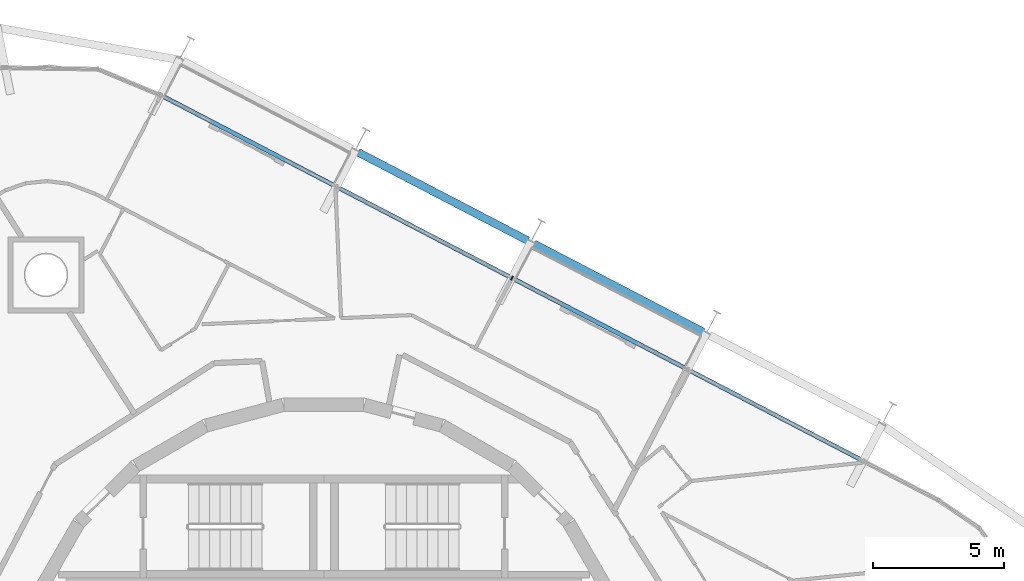
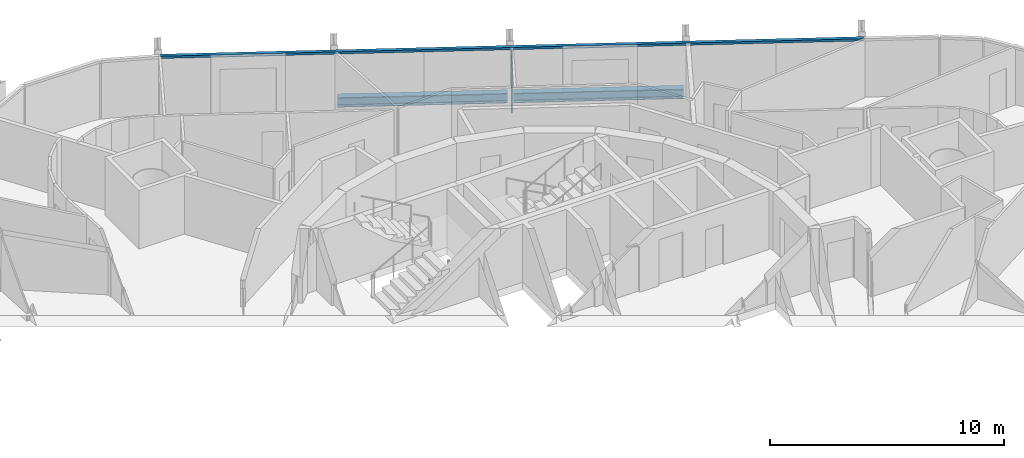
# One storey, part 7 of 18: 2 beams, 2 members, 1 element without a shape of its own.
"""IFC4 building model written with IfcOpenShell, lengths in metres."""

from ifc_helpers import new_model, si_unit, direction, frame, origin, origin_2d, place, context, subcontext, project, spatial, rectangle, i_section, extrude, material, layer, layer_set, material_profile, profile_set, type_object, element, aggregate, save


model = new_model("IFC4")

# Units and contexts
model_context = context("Model", 3, precision=1e-05, world=origin(), true_north=direction((0.0, 1.0)))
body_context = subcontext(model_context, "Body", "Model", "MODEL_VIEW")
ifc_project = project(units=[si_unit("LENGTHUNIT", "METRE"), si_unit("AREAUNIT", "SQUARE_METRE"), si_unit("VOLUMEUNIT", "CUBIC_METRE"), si_unit("PLANEANGLEUNIT", "RADIAN"), si_unit("MASSUNIT", "GRAM", prefix="KILO")], contexts=[model_context])

# Site, building, storey
site_placement = place(None, origin())
site = spatial("IfcSite", under=ifc_project, at=site_placement, CompositionType="ELEMENT")
building_placement = place(site_placement, origin())
building = spatial("IfcBuilding", under=site, at=building_placement, Name="Spindle Arch Residences", CompositionType="ELEMENT")
storey_placement = place(building_placement, frame((0.0, 0.0, 254.699951171875)))
storey = spatial("IfcBuildingStorey", under=building, at=storey_placement, Name="L65", CompositionType="ELEMENT", Elevation=254.699951171875)

# Curtain wall, members
ifc_material_1 = material(Name="Aluminium bronze unitised frame with tinted glass", Category="aluminium")
ifc_layer = layer(ifc_material_1, 0.159912109375)
ifc_layer_set = layer_set([ifc_layer], Name="CW-C typical residential unitised wall")
curtain_wall_type = type_object("IfcCurtainWallType", Name="CW-C typical residential unitised wall", PredefinedType="NOTDEFINED", material=ifc_layer_set)
curtain_wall_placement = place(storey_placement, origin())
curtain_wall = element("IfcCurtainWall", 1, at=curtain_wall_placement, inside=storey, type_object=curtain_wall_type, Name="CW-C L65 run 2", PredefinedType="NOTDEFINED")
ifc_material_2 = material(Name="Aluminium bronze anodised mullion", Category="aluminium")
ifc_material_profile_1 = material_profile(ifc_material_2, rectangle(XDim=0.159912109375, YDim=0.06005859375, at=origin_2d()), Name="MU 60x160")
ifc_profile_set_1 = profile_set([ifc_material_profile_1], Name="Aluminium bronze anodised mullion")
member_type_1 = type_object("IfcMemberType", Name="Bronze mullion 60x160", PredefinedType="MULLION", material=ifc_profile_set_1)
member_1_placement = place(storey_placement, frame((7.15869140625, 16.4697265625, -0.3798828125), z_axis=(0.0, 0.0, 1.0), x_axis=(-0.461748613235, -0.887010833178, 0.0)))
member_1 = element("IfcMember", 2, at=member_1_placement, type_object=member_type_1, Name="CW-C mullion 07", PredefinedType="MULLION", context=body_context, shape_type="SweptSolid", body=[
    extrude(rectangle(XDim=0.159912109375, YDim=0.06005859375, at=origin_2d()), origin(), (0.0, 0.0, 1.0), 3.309814453125),
])
ifc_material_3 = material(Name="Aluminium bronze anodised transom", Category="aluminium")
ifc_material_profile_2 = material_profile(ifc_material_3, rectangle(XDim=0.159912109375, YDim=0.1201171875, at=origin_2d()), Name="TR 120x160")
ifc_profile_set_2 = profile_set([ifc_material_profile_2], Name="Aluminium bronze anodised transom")
member_type_2 = type_object("IfcMemberType", Name="Bronze transom 120x160", PredefinedType="USERDEFINED", material=ifc_profile_set_2)
member_2_placement = place(storey_placement, frame((20.49072265625, 9.529541015625, 2.989990234375), z_axis=(-0.887009936453, 0.461750335825, 0.0), x_axis=(-0.461750335825, -0.887009936453, 0.0)))
member_2 = element("IfcMember", 3, at=member_2_placement, type_object=member_type_2, Name="CW-C transom 00", ObjectType="TRANSOM", PredefinedType="USERDEFINED", context=body_context, shape_type="SweptSolid", body=[
    extrude(rectangle(XDim=0.159912109375, YDim=0.1201171875, at=origin_2d()), origin(), (0.0, 0.0, 1.0), 30.060302734375),
])
aggregate(curtain_wall, [member_2, member_1])

# Beams
ifc_material_4 = material(Name="Steel S460ML, intumescent coating R 120", Category="steel")
ifc_material_profile_3 = material_profile(ifc_material_4, i_section(OverallWidth=0.300048828125, OverallDepth=0.5, WebThickness=0.014404296875, FlangeThickness=0.028076171875, FilletRadius=0.027099609375, at=origin_2d()), Name="HEB 500")
ifc_profile_set_3 = profile_set([ifc_material_profile_3], Name="Steel S460ML, intumescent coating R 120")
beam_type = type_object("IfcBeamType", Name="Exoskeleton edge beam HEB 500", PredefinedType="BEAM", material=ifc_profile_set_3)
for number, where, z_axis, x_axis, name in (
    (4, (14.43359375, 14.418701171875, -0.6298828125), (-0.887007222688, 0.461755548857, 0.0), (-0.461755548857, -0.887007222688, 0.0), "Exoskeleton edge beam 7"),
    (5, (7.75439453125, 17.895751953125, -0.6298828125), (-0.887007222688, 0.461755548857, 0.0), (-0.461755548857, -0.887007222688, 0.0), "Exoskeleton edge beam 8"),
):
    element("IfcBeam", number, at=place(storey_placement, frame(where, z_axis=z_axis, x_axis=x_axis)), inside=storey, type_object=beam_type, Name=name, PredefinedType="BEAM", context=body_context, shape_type="SweptSolid", body=[
        extrude(i_section(OverallWidth=0.300048828125, OverallDepth=0.5, WebThickness=0.014404296875, FlangeThickness=0.028076171875, FilletRadius=0.027099609375, at=origin_2d()), origin(), (0.0, 0.0, 1.0), 7.27001953125),
    ])

save(model, "model.ifc")
